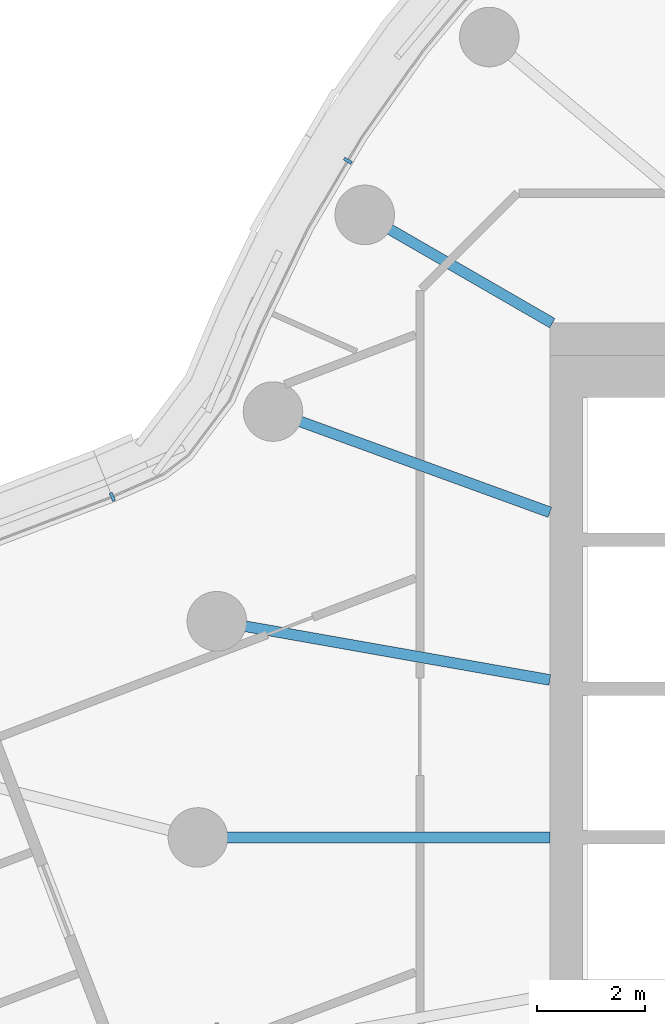
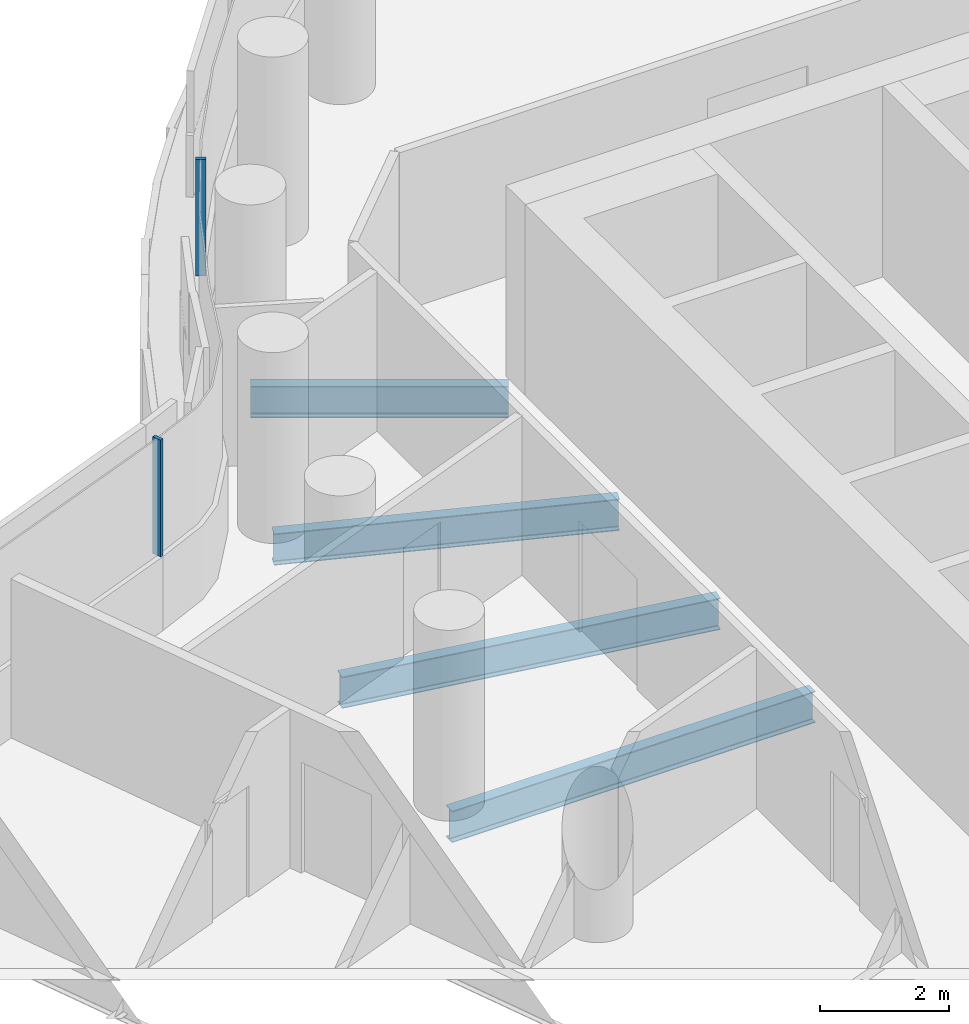
# One storey, part 7 of 32: 4 beams, 2 members, 2 elements without a shape of their own.
"""IFC4 building model written with IfcOpenShell, lengths in metres."""

import ifcopenshell
import ifcopenshell.guid

model = None  # the IFC model being written
_history = None  # IfcOwnerHistory: only IFC2X3 demands one
_inside = {}  # id of a spatial element -> (the spatial element, [elements in it])
_under = {}  # id of a project, library or spatial element -> (it, [spatial elements below it])
_declared = {}  # id of a project -> (the project, [libraries it declares])
_typed = {}  # id of a type object -> (the type object, [elements of that type])
_made_of = {}  # id of a material, layer set ... -> (it, [elements and type objects made of it])


def new_model(schema):
    """Start an empty IFC model of exactly this schema.

    Asked for "IFC4X3", IfcOpenShell would pick the latest addendum, in which some entities
    have other attributes; the version numbers below select the first issue.
    IFC2X3 requires an IfcOwnerHistory on every rooted entity: one is made here for all.
    """
    global model, _history
    if schema == "IFC4X3":
        model = ifcopenshell.file(schema_version=(4, 3, 0, 0))
    else:
        model = ifcopenshell.file(schema=schema)
    _inside.clear()
    _under.clear()
    _declared.clear()
    _typed.clear()
    _made_of.clear()
    _history = None
    if model.schema == "IFC2X3":
        org = make("IfcOrganization", Name="unknown")
        user = make(
            "IfcPersonAndOrganization",
            ThePerson=make("IfcPerson", FamilyName="unknown"),
            TheOrganization=org,
        )
        app = make(
            "IfcApplication",
            ApplicationDeveloper=org,
            Version="unknown",
            ApplicationFullName="unknown",
            ApplicationIdentifier="unknown",
        )
        _history = make(
            "IfcOwnerHistory",
            OwningUser=user,
            OwningApplication=app,
            ChangeAction="ADDED",
            CreationDate=0,
        )
    return model


def make(cls, **values):
    """One entity of the class cls with the attributes given. An attribute that is None is left unset."""
    return model.create_entity(
        cls, **{name: value for name, value in values.items() if value is not None}
    )


def rooted(cls, **values):
    """An entity with a GlobalId (a new one), such as an element, a storey or a relation."""
    return make(cls, GlobalId=ifcopenshell.guid.new(), OwnerHistory=_history, **values)


def si_unit(unit_type, name, prefix=None):
    """IfcSIUnit, for example si_unit("LENGTHUNIT", "METRE", prefix="MILLI")."""
    return make("IfcSIUnit", UnitType=unit_type, Prefix=prefix, Name=name)


def assignment(units):
    """IfcUnitAssignment: the units of a project."""
    return None if units is None else make("IfcUnitAssignment", Units=units)


def point(xyz):
    """IfcCartesianPoint."""
    return None if xyz is None else make("IfcCartesianPoint", Coordinates=xyz)


def direction(xyz):
    """IfcDirection."""
    return None if xyz is None else make("IfcDirection", DirectionRatios=xyz)


def frame(location, z_axis=None, x_axis=None):
    """IfcAxis2Placement3D, a coordinate frame: its origin and axes. An axis left out is left unset."""
    return make(
        "IfcAxis2Placement3D",
        Location=point(location),
        Axis=direction(z_axis),
        RefDirection=direction(x_axis),
    )


def frame_2d(location, x_axis=None):
    """IfcAxis2Placement2D, a coordinate frame in the plane: its origin and x axis."""
    return make(
        "IfcAxis2Placement2D", Location=point(location), RefDirection=direction(x_axis)
    )


def origin():
    """The frame at (0, 0, 0) with its axes left unset."""
    return frame((0.0, 0.0, 0.0))


def origin_2d():
    """The frame at (0, 0) in the plane with its x axis left unset."""
    return frame_2d((0.0, 0.0))


def place(relative_to, where):
    """IfcLocalPlacement: puts the frame where relative to a parent placement (None: the world)."""
    return make(
        "IfcLocalPlacement", PlacementRelTo=relative_to, RelativePlacement=where
    )


def context(
    kind, dimensions, precision=None, world=None, true_north=None, identifier=None
):
    """IfcGeometricRepresentationContext, for example the 3D "Model" context."""
    return make(
        "IfcGeometricRepresentationContext",
        ContextIdentifier=identifier,
        ContextType=kind,
        CoordinateSpaceDimension=dimensions,
        Precision=precision,
        WorldCoordinateSystem=world,
        TrueNorth=true_north,
    )


def subcontext(parent, identifier, kind, view, scale=None):
    """IfcGeometricRepresentationSubContext, for example "Body" below "Model"."""
    return make(
        "IfcGeometricRepresentationSubContext",
        ContextIdentifier=identifier,
        ContextType=kind,
        ParentContext=parent,
        TargetScale=scale,
        TargetView=view,
    )


def project(units=None, contexts=None):
    """IfcProject with its units and contexts."""
    return rooted(
        "IfcProject",
        Name="project",
        RepresentationContexts=contexts,
        UnitsInContext=assignment(units),
    )


def spatial(cls, under=None, at=None, **own):
    """A site, building, storey or space (cls), placed at a placement, below another one or the project."""
    s = rooted(cls, ObjectPlacement=at, **own)
    if under is not None:
        _under.setdefault(under.id(), (under, []))[1].append(s)
    return s


def profile(cls, at=None, kind="AREA", **sizes):
    """A parametric profile (cls). Its sizes go by their IFC names, for example OverallWidth=200.0."""
    return make(cls, ProfileType=kind, Position=at, **sizes)


def rectangle(**sizes):
    """IfcRectangleProfileDef."""
    return profile("IfcRectangleProfileDef", **sizes)


def i_section(**sizes):
    """IfcIShapeProfileDef."""
    return profile("IfcIShapeProfileDef", **sizes)


def extrude(swept, where, along, depth):
    """IfcExtrudedAreaSolid: the profile swept, set in the frame where, extruded along a direction by depth."""
    return make(
        "IfcExtrudedAreaSolid",
        SweptArea=swept,
        Position=where,
        ExtrudedDirection=direction(along),
        Depth=depth,
    )


def shape(context_of_items, identifier, shape_type, items):
    """IfcShapeRepresentation: the items that make up one representation, for example the "Body"."""
    return make(
        "IfcShapeRepresentation",
        ContextOfItems=context_of_items,
        RepresentationIdentifier=identifier,
        RepresentationType=shape_type,
        Items=items,
    )


def material(Name=None, Category=None):
    """IfcMaterial."""
    return make("IfcMaterial", Name=Name, Category=Category)


def layer(
    of_material, thickness, ventilated=None, Name=None, Category=None, Priority=None
):
    """IfcMaterialLayer: one layer of a wall or slab, of a material (None: an air gap)."""
    return make(
        "IfcMaterialLayer",
        Material=of_material,
        LayerThickness=thickness,
        IsVentilated=ventilated,
        Name=Name,
        Category=Category,
        Priority=Priority,
    )


def layer_set(layers, Name=None):
    """IfcMaterialLayerSet."""
    return make("IfcMaterialLayerSet", MaterialLayers=layers, LayerSetName=Name)


def material_profile(
    of_material, cross_section, Name=None, Category=None, Priority=None
):
    """IfcMaterialProfile: a cross section and its material."""
    return make(
        "IfcMaterialProfile",
        Name=Name,
        Material=of_material,
        Profile=cross_section,
        Priority=Priority,
        Category=Category,
    )


def profile_set(profiles, Name=None, composite=None):
    """IfcMaterialProfileSet."""
    return make(
        "IfcMaterialProfileSet",
        Name=Name,
        MaterialProfiles=profiles,
        CompositeProfile=composite,
    )


def made_of(thing, what):
    """Note that an element or type object is made of a material, layer set ...; save() writes the relation."""
    if what is not None:
        _made_of.setdefault(what.id(), (what, []))[1].append(thing)
    return thing


def type_object(cls, material=None, **own):
    """A type object (cls), such as IfcWallType, which elements share."""
    return made_of(rooted(cls, **own), material)


def element(
    cls,
    number,
    at=None,
    inside=None,
    cuts=None,
    type_object=None,
    material=None,
    context=None,
    identifier="Body",
    shape_type=None,
    held_by="IfcProductDefinitionShape",
    body=None,
    shapes=None,
    **own,
):
    """One element of the class cls, such as IfcWall. Its Tag is "e" and its number.

    at: its placement. inside: the storey or other place that contains it. cuts: it is an
    opening in that element (IfcRelVoidsElement). A single representation is given by context,
    identifier, shape_type and body (its items); several are given by shapes. held_by: the class
    of the entity that holds the representations. save() writes the other relations.
    """
    e = rooted(cls, Tag="e%d" % number, ObjectPlacement=at, **own)
    if body is not None:
        shapes = [shape(context, identifier, shape_type, body)]
    if shapes is not None:
        e.Representation = make(held_by, Representations=shapes)
    if inside is not None:
        _inside.setdefault(inside.id(), (inside, []))[1].append(e)
    if cuts is not None:
        rooted(
            "IfcRelVoidsElement", RelatingBuildingElement=cuts, RelatedOpeningElement=e
        )
    if type_object is not None:
        _typed.setdefault(type_object.id(), (type_object, []))[1].append(e)
    return made_of(e, material)


def aggregate(whole, parts):
    """IfcRelAggregates: a whole, such as a stair, and the parts it consists of."""
    return rooted("IfcRelAggregates", RelatingObject=whole, RelatedObjects=parts)


def save(model, path):
    """Write the relations noted so far, then the file.

    IfcRelAggregates (storeys below a building ...), IfcRelContainedInSpatialStructure (elements
    in a storey), IfcRelDefinesByType, IfcRelAssociatesMaterial and IfcRelDeclares: one each for
    every whole, place, type object, material and project.
    """
    for whole, parts in _under.values():
        aggregate(whole, parts)
    for where, things in _inside.values():
        rooted(
            "IfcRelContainedInSpatialStructure",
            RelatedElements=things,
            RelatingStructure=where,
        )
    for kind, things in _typed.values():
        rooted("IfcRelDefinesByType", RelatedObjects=things, RelatingType=kind)
    for what, things in _made_of.values():
        rooted("IfcRelAssociatesMaterial", RelatedObjects=things, RelatingMaterial=what)
    for by, libraries in _declared.values():
        rooted("IfcRelDeclares", RelatingContext=by, RelatedDefinitions=libraries)
    model.write(path)


model = new_model("IFC4")

# Units and contexts
model_context = context("Model", 3, precision=1e-05, world=origin(), true_north=direction((0.0, 1.0)))
body_context = subcontext(model_context, "Body", "Model", "MODEL_VIEW")
ifc_project = project(units=[si_unit("LENGTHUNIT", "METRE"), si_unit("AREAUNIT", "SQUARE_METRE"), si_unit("VOLUMEUNIT", "CUBIC_METRE"), si_unit("PLANEANGLEUNIT", "RADIAN"), si_unit("MASSUNIT", "GRAM", prefix="KILO")], contexts=[model_context])

# Site, building, storey
site_placement = place(None, origin())
site = spatial("IfcSite", under=ifc_project, at=site_placement, CompositionType="ELEMENT")
building_placement = place(site_placement, origin())
building = spatial("IfcBuilding", under=site, at=building_placement, Name="Tamarind Cross Interchange Tower", CompositionType="ELEMENT")
storey_placement = place(building_placement, frame((0.0, 0.0, 109.75)))
storey = spatial("IfcBuildingStorey", under=building, at=storey_placement, Name="L26", CompositionType="ELEMENT", Elevation=109.75)

# Beams
ifc_material_1 = material(Name="Steel Q355B", Category="steel")
ifc_material_profile_1 = material_profile(ifc_material_1, i_section(OverallWidth=0.198974609375, OverallDepth=0.595947265625, WebThickness=0.010009765625, FlangeThickness=0.014892578125, FilletRadius=0.012939453125, at=origin_2d()), Name="HN 596x199x10x15")
ifc_profile_set_1 = profile_set([ifc_material_profile_1], Name="Steel Q355B")
beam_type = type_object("IfcBeamType", Name="Composite beam HN 596x199x10x15 Q355B", PredefinedType="BEAM", material=ifc_profile_set_1)
beam_1_placement = place(storey_placement, frame((-19.918701171875, 11.5, -0.43798828125), z_axis=(0.866026010844, -0.49999894854, 0.0), x_axis=(0.49999894854, 0.866026010844, 0.0)))
element("IfcBeam", 1, at=beam_1_placement, inside=storey, type_object=beam_type, Name="Beam HH15", PredefinedType="BEAM", context=body_context, shape_type="SweptSolid", body=[
    extrude(i_section(OverallWidth=0.198974609375, OverallDepth=0.595947265625, WebThickness=0.010009765625, FlangeThickness=0.014892578125, FilletRadius=0.012939453125, at=origin_2d()), origin(), (0.0, 0.0, 1.0), 4.0),
])
beam_2_placement = place(storey_placement, frame((-21.613037109375, 7.866455078125, -0.43798828125), z_axis=(0.939701685589, -0.341995236956, 0.0), x_axis=(0.341995236956, 0.939701685589, 0.0)))
element("IfcBeam", 2, at=beam_2_placement, inside=storey, type_object=beam_type, Name="Beam HH16", PredefinedType="BEAM", context=body_context, shape_type="SweptSolid", body=[
    extrude(i_section(OverallWidth=0.198974609375, OverallDepth=0.595947265625, WebThickness=0.010009765625, FlangeThickness=0.014892578125, FilletRadius=0.012939453125, at=origin_2d()), origin(), (0.0, 0.0, 1.0), 5.441162109375),
])
beam_3_placement = place(storey_placement, frame((-22.650634765625, 3.993896484375, -0.43798828125), z_axis=(0.984809127561, -0.173640382036, 0.0), x_axis=(0.173640382036, 0.984809127561, 0.0)))
element("IfcBeam", 3, at=beam_3_placement, inside=storey, type_object=beam_type, Name="Beam HH17", PredefinedType="BEAM", context=body_context, shape_type="SweptSolid", body=[
    extrude(i_section(OverallWidth=0.198974609375, OverallDepth=0.595947265625, WebThickness=0.010009765625, FlangeThickness=0.014892578125, FilletRadius=0.012939453125, at=origin_2d()), origin(), (0.0, 0.0, 1.0), 6.24560546875),
])
beam_4_placement = place(storey_placement, frame((-23.0, 0.0, -0.43798828125), z_axis=(1.0, 0.0, 0.0), x_axis=(0.0, 1.0, 0.0)))
element("IfcBeam", 4, at=beam_4_placement, inside=storey, type_object=beam_type, Name="Beam HH18", PredefinedType="BEAM", context=body_context, shape_type="SweptSolid", body=[
    extrude(i_section(OverallWidth=0.198974609375, OverallDepth=0.595947265625, WebThickness=0.010009765625, FlangeThickness=0.014892578125, FilletRadius=0.012939453125, at=origin_2d()), origin(), (0.0, 0.0, 1.0), 6.5),
])

# Curtain wall, member
ifc_material_2 = material(Name="Aluminium 6063-T6", Category="aluminium")
ifc_layer = layer(ifc_material_2, 0.159912109375)
ifc_layer_set = layer_set([ifc_layer], Name="Aluminium 6063-T6")
curtain_wall_type = type_object("IfcCurtainWallType", Name="Office curtain wall, 9.0 m bays", PredefinedType="NOTDEFINED", material=ifc_layer_set)
curtain_wall_1_placement = place(storey_placement, origin())
curtain_wall_1 = element("IfcCurtainWall", 5, at=curtain_wall_1_placement, inside=storey, type_object=curtain_wall_type, Name="CWS-L26-14", PredefinedType="NOTDEFINED")
ifc_material_profile_2 = material_profile(ifc_material_2, rectangle(XDim=0.06005859375, YDim=0.159912109375, at=origin_2d()), Name="Mullion CW1")
ifc_profile_set_2 = profile_set([ifc_material_profile_2], Name="Aluminium 6063-T6")
member_type = type_object("IfcMemberType", Name="Mullion CW1", PredefinedType="MULLION", material=ifc_profile_set_2)
member_1_placement = place(storey_placement, frame((-20.23046875, 12.49951171875, 1.39990234375), z_axis=(0.0, 0.0, 1.0), x_axis=(-0.508183308752, -0.861248933065, 0.0)))
member_1 = element("IfcMember", 6, at=member_1_placement, type_object=member_type, Name="CWM-L26-14-02", PredefinedType="MULLION", context=body_context, shape_type="SweptSolid", body=[
    extrude(rectangle(XDim=0.06005859375, YDim=0.159912109375, at=origin_2d()), origin(), (0.0, 0.0, 1.0), 2.210205078125),
])
aggregate(curtain_wall_1, [member_1])

curtain_wall_2_placement = place(storey_placement, origin())
curtain_wall_2 = element("IfcCurtainWall", 7, at=curtain_wall_2_placement, inside=storey, type_object=curtain_wall_type, Name="CWS-L26-15", PredefinedType="NOTDEFINED")
member_2_placement = place(storey_placement, frame((-24.5810546875, 6.293212890625, 1.39990234375), z_axis=(0.0, 0.0, 1.0), x_axis=(-0.924918487017, -0.380165480252, 0.0)))
member_2 = element("IfcMember", 8, at=member_2_placement, type_object=member_type, Name="CWM-L26-15-00", PredefinedType="MULLION", context=body_context, shape_type="SweptSolid", body=[
    extrude(rectangle(XDim=0.06005859375, YDim=0.159912109375, at=origin_2d()), origin(), (0.0, 0.0, 1.0), 2.210205078125),
])
aggregate(curtain_wall_2, [member_2])

save(model, "model.ifc")
